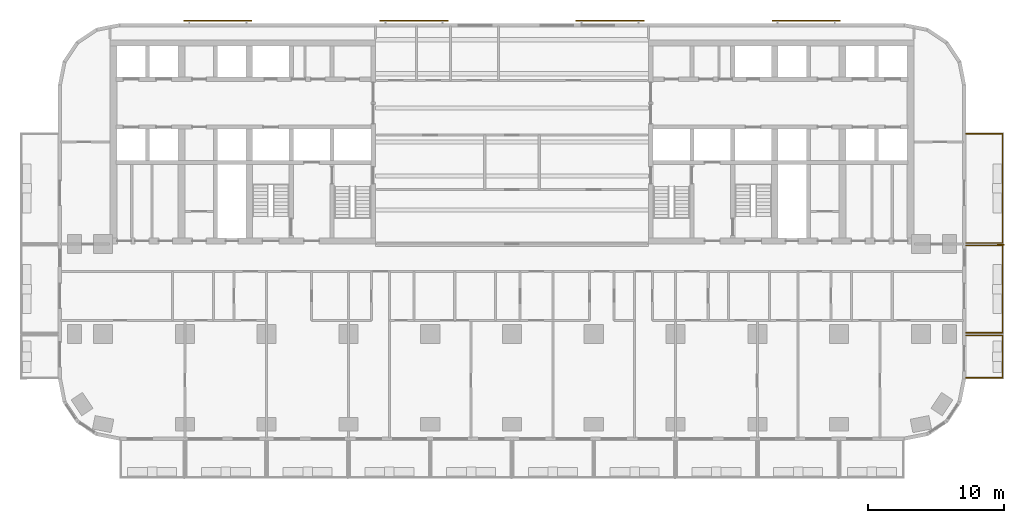
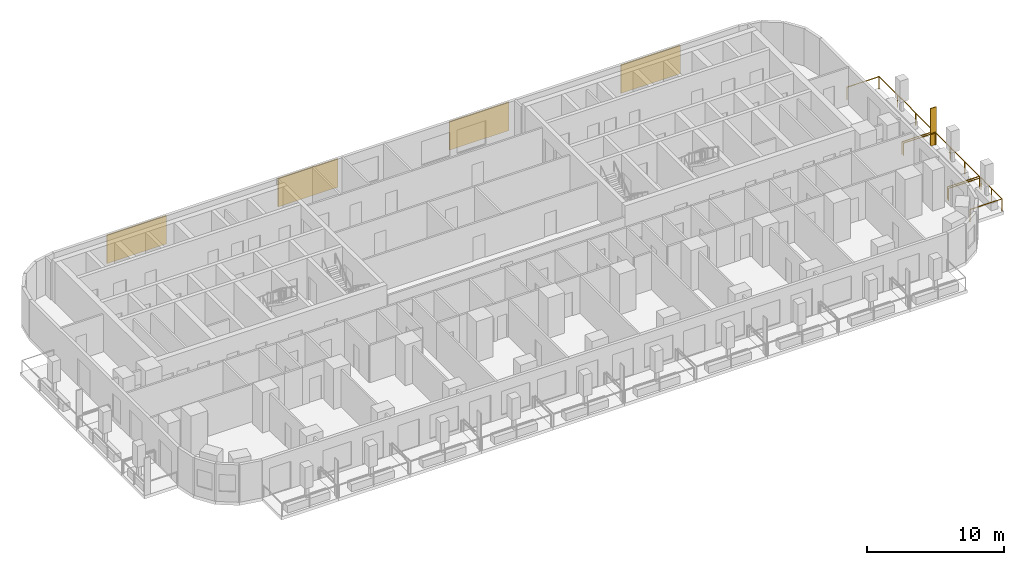
# One storey, part 14 of 15: 5 shading devices, 3 railings.
"""IFC4 building model written with IfcOpenShell, lengths in metres."""

from ifc_helpers import new_model, si_unit, direction, frame, origin, origin_2d, place, context, subcontext, project, spatial, rectangle, circle, extrude, material, layer, layer_set, type_object, element, save


model = new_model("IFC4")

# Units and contexts
model_context = context("Model", 3, precision=1e-05, world=origin(), true_north=direction((0.0, 1.0)))
body_context = subcontext(model_context, "Body", "Model", "MODEL_VIEW")
ifc_project = project(units=[si_unit("LENGTHUNIT", "METRE"), si_unit("AREAUNIT", "SQUARE_METRE"), si_unit("VOLUMEUNIT", "CUBIC_METRE"), si_unit("PLANEANGLEUNIT", "RADIAN"), si_unit("MASSUNIT", "GRAM", prefix="KILO")], contexts=[model_context])

# Site, building, storey
site_placement = place(None, origin())
site = spatial("IfcSite", under=ifc_project, at=site_placement, CompositionType="ELEMENT")
building_placement = place(site_placement, origin())
building = spatial("IfcBuilding", under=site, at=building_placement, Name="Torana Hotel and Residences", CompositionType="ELEMENT")
storey_placement = place(building_placement, frame((0.0, 0.0, 92.39990234375)))
storey = spatial("IfcBuildingStorey", under=building, at=storey_placement, Name="L23", CompositionType="ELEMENT", Elevation=92.39990234375)

# Shading device
ifc_material_1 = material(Name="Black powder coated aluminium", Category="aluminium")
ifc_layer_1 = layer(ifc_material_1, 0.080078125)
ifc_layer_set_1 = layer_set([ifc_layer_1], Name="FN1 VERTICAL FIN 500x80")
shading_device_type_1 = type_object("IfcShadingDeviceType", Name="FN1 VERTICAL FIN 500x80", PredefinedType="USERDEFINED", material=ifc_layer_set_1)
shading_device_placement = place(storey_placement, frame((35.85009765625, -15.0400390625, 0.0), z_axis=(0.0, 0.0, 1.0), x_axis=(0.0, -1.0, 0.0)))
element("IfcShadingDevice", 1, at=shading_device_placement, inside=storey, type_object=shading_device_type_1, Name="Fin 15", ObjectType="FIN", PredefinedType="USERDEFINED", context=body_context, shape_type="SweptSolid", body=[
    extrude(rectangle(XDim=0.080078125, YDim=0.5, at=origin_2d()), origin(), (0.0, 0.0, 1.0), 3.320068359375),
])

# Railings
ifc_material_2 = material(Name="Laminated glass balustrade with black handrail", Category="glass")
railing_type = type_object("IfcRailingType", Name="GR1 BALCONY GUARD 1100 GLASS", PredefinedType="GUARDRAIL", material=ifc_material_2)
railing_1_placement = place(storey_placement, frame((33.300048828125, -21.699951171875, 0.0)))
element("IfcRailing", 2, at=railing_1_placement, inside=storey, type_object=railing_type, Name="Balcony guard 14", PredefinedType="GUARDRAIL", context=body_context, shape_type="SweptSolid", body=[
    extrude(circle(Radius=0.02392578125, at=origin_2d()), frame((0.0, 0.0, 1.076171875), z_axis=(1.0, 0.0, 0.0), x_axis=(0.0, 1.0, 0.0)), (0.0, 0.0, 1.0), 2.699951171875),
    extrude(circle(Radius=0.02392578125, at=origin_2d()), frame((2.699951171875, 0.0, 1.076171875), z_axis=(0.0, -1.0, 0.0), x_axis=(1.0, 0.0, 0.0)), (0.0, 0.0, 1.0), 3.10009765625),
    extrude(circle(Radius=0.02392578125, at=origin_2d()), frame((2.699951171875, -3.10009765625, 1.076171875), z_axis=(-1.0, 0.0, 0.0), x_axis=(0.0, -1.0, 0.0)), (0.0, 0.0, 1.0), 2.699951171875),
    extrude(circle(Radius=0.02099609375, at=origin_2d()), origin(), (0.0, 0.0, 1.0), 1.052001953125),
    extrude(circle(Radius=0.02099609375, at=origin_2d()), frame((2.699951171875, 0.0, 0.0)), (0.0, 0.0, 1.0), 1.052001953125),
    extrude(circle(Radius=0.02099609375, at=origin_2d()), frame((2.699951171875, -1.550048828125, 0.0)), (0.0, 0.0, 1.0), 1.052001953125),
    extrude(circle(Radius=0.02099609375, at=origin_2d()), frame((2.699951171875, -3.10009765625, 0.0)), (0.0, 0.0, 1.0), 1.052001953125),
    extrude(circle(Radius=0.02099609375, at=origin_2d()), frame((0.0, -3.10009765625, 0.0)), (0.0, 0.0, 1.0), 1.052001953125),
])
railing_2_placement = place(storey_placement, frame((33.300048828125, -15.10009765625, 0.0)))
element("IfcRailing", 3, at=railing_2_placement, inside=storey, type_object=railing_type, Name="Balcony guard 15", PredefinedType="GUARDRAIL", context=body_context, shape_type="SweptSolid", body=[
    extrude(circle(Radius=0.02392578125, at=origin_2d()), frame((0.0, 0.0, 1.076171875), z_axis=(1.0, 0.0, 0.0), x_axis=(0.0, 1.0, 0.0)), (0.0, 0.0, 1.0), 2.699951171875),
    extrude(circle(Radius=0.02392578125, at=origin_2d()), frame((2.699951171875, 0.0, 1.076171875), z_axis=(0.0, -1.0, 0.0), x_axis=(1.0, 0.0, 0.0)), (0.0, 0.0, 1.0), 6.39990234375),
    extrude(circle(Radius=0.02392578125, at=origin_2d()), frame((2.699951171875, -6.39990234375, 1.076171875), z_axis=(-1.0, 0.0, 0.0), x_axis=(0.0, -1.0, 0.0)), (0.0, 0.0, 1.0), 2.699951171875),
    extrude(circle(Radius=0.02099609375, at=origin_2d()), origin(), (0.0, 0.0, 1.0), 1.052001953125),
    extrude(circle(Radius=0.02099609375, at=origin_2d()), frame((2.699951171875, 0.0, 0.0)), (0.0, 0.0, 1.0), 1.052001953125),
    extrude(circle(Radius=0.02099609375, at=origin_2d()), frame((2.699951171875, -2.13330078125, 0.0)), (0.0, 0.0, 1.0), 1.052001953125),
    extrude(circle(Radius=0.02099609375, at=origin_2d()), frame((2.699951171875, -4.2666015625, 0.0)), (0.0, 0.0, 1.0), 1.052001953125),
    extrude(circle(Radius=0.02099609375, at=origin_2d()), frame((2.699951171875, -6.39990234375, 0.0)), (0.0, 0.0, 1.0), 1.052001953125),
    extrude(circle(Radius=0.02099609375, at=origin_2d()), frame((0.0, -6.39990234375, 0.0)), (0.0, 0.0, 1.0), 1.052001953125),
])
railing_3_placement = place(storey_placement, frame((33.300048828125, -6.89990234375, 0.0)))
element("IfcRailing", 4, at=railing_3_placement, inside=storey, type_object=railing_type, Name="Balcony guard 16", PredefinedType="GUARDRAIL", context=body_context, shape_type="SweptSolid", body=[
    extrude(circle(Radius=0.02392578125, at=origin_2d()), frame((0.0, 0.0, 1.076171875), z_axis=(1.0, 0.0, 0.0), x_axis=(0.0, 1.0, 0.0)), (0.0, 0.0, 1.0), 2.699951171875),
    extrude(circle(Radius=0.02392578125, at=origin_2d()), frame((2.699951171875, 0.0, 1.076171875), z_axis=(0.0, -1.0, 0.0), x_axis=(1.0, 0.0, 0.0)), (0.0, 0.0, 1.0), 8.0),
    extrude(circle(Radius=0.02392578125, at=origin_2d()), frame((2.699951171875, -8.0, 1.076171875), z_axis=(-1.0, 0.0, 0.0), x_axis=(0.0, -1.0, 0.0)), (0.0, 0.0, 1.0), 2.699951171875),
    extrude(circle(Radius=0.02099609375, at=origin_2d()), origin(), (0.0, 0.0, 1.0), 1.052001953125),
    extrude(circle(Radius=0.02099609375, at=origin_2d()), frame((2.699951171875, 0.0, 0.0)), (0.0, 0.0, 1.0), 1.052001953125),
    extrude(circle(Radius=0.02099609375, at=origin_2d()), frame((2.699951171875, -2.666748046875, 0.0)), (0.0, 0.0, 1.0), 1.052001953125),
    extrude(circle(Radius=0.02099609375, at=origin_2d()), frame((2.699951171875, -5.333251953125, 0.0)), (0.0, 0.0, 1.0), 1.052001953125),
    extrude(circle(Radius=0.02099609375, at=origin_2d()), frame((2.699951171875, -8.0, 0.0)), (0.0, 0.0, 1.0), 1.052001953125),
    extrude(circle(Radius=0.02099609375, at=origin_2d()), frame((0.0, -8.0, 0.0)), (0.0, 0.0, 1.0), 1.052001953125),
])

# Shading devices
ifc_material_3 = material(Name="Concrete C40/50 precast", Category="concrete")
ifc_layer_2 = layer(ifc_material_3, 0.10009765625)
ifc_layer_set_2 = layer_set([ifc_layer_2], Name="SC1 PERFORATED BLOCK SCREEN PANEL 100")
shading_device_type_2 = type_object("IfcShadingDeviceType", Name="SC1 PERFORATED BLOCK SCREEN PANEL 100", PredefinedType="USERDEFINED", material=ifc_layer_set_2)
for number, where, z_axis, x_axis, name in (
    (5, (21.58154296875, 1.39990234375, 0.5), (0.0, 0.0, 1.0), (-1.0, 0.0, 0.0), "Perforated block screen L23"),
    (6, (7.19384765625, 1.39990234375, 0.5), (0.0, 0.0, 1.0), (-1.0, 0.0, 0.0), "Perforated block screen L23"),
    (7, (-7.19384765625, 1.39990234375, 0.5), (0.0, 0.0, 1.0), (-1.0, 0.0, 0.0), "Perforated block screen L23"),
    (8, (-21.58154296875, 1.39990234375, 0.5), (0.0, 0.0, 1.0), (-1.0, 0.0, 0.0), "Perforated block screen L23"),
):
    element("IfcShadingDevice", number, at=place(storey_placement, frame(where, z_axis=z_axis, x_axis=x_axis)), inside=storey, type_object=shading_device_type_2, Name=name, ObjectType="SCREEN", PredefinedType="USERDEFINED", context=body_context, shape_type="SweptSolid", body=[
        extrude(rectangle(XDim=5.0, YDim=0.10009765625, at=origin_2d()), origin(), (0.0, 0.0, 1.0), 2.52001953125),
    ])

save(model, "model.ifc")
